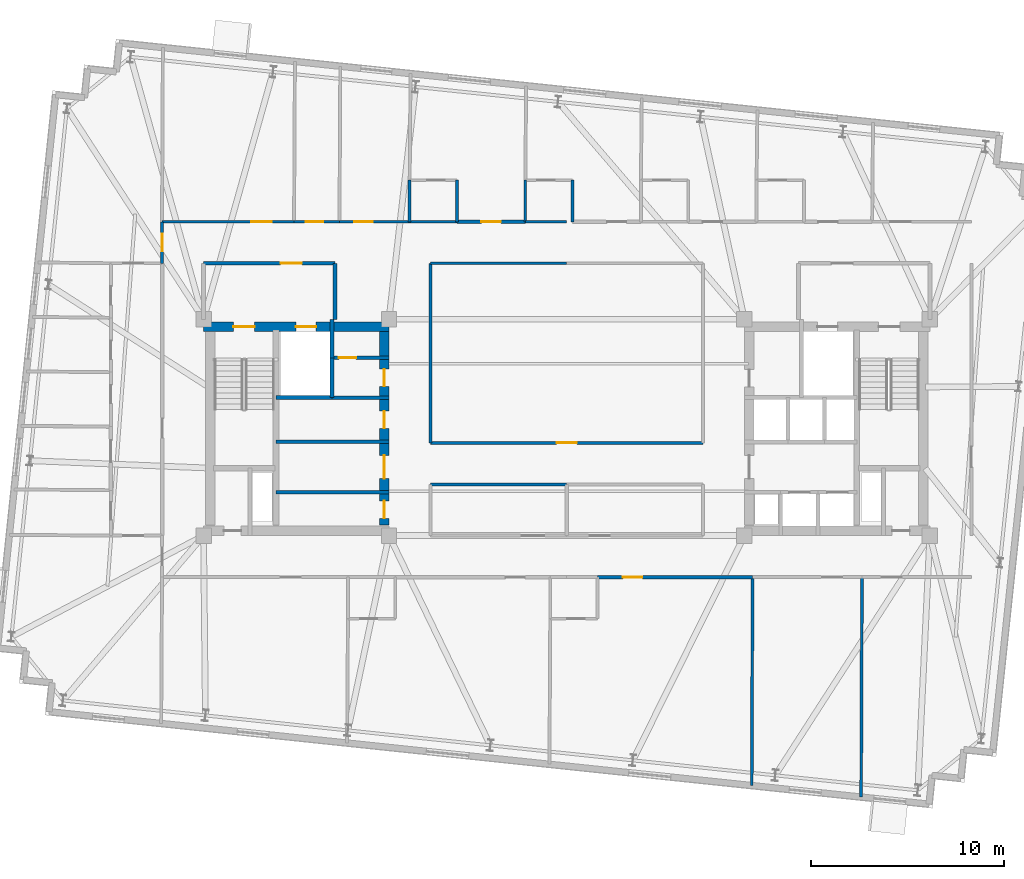
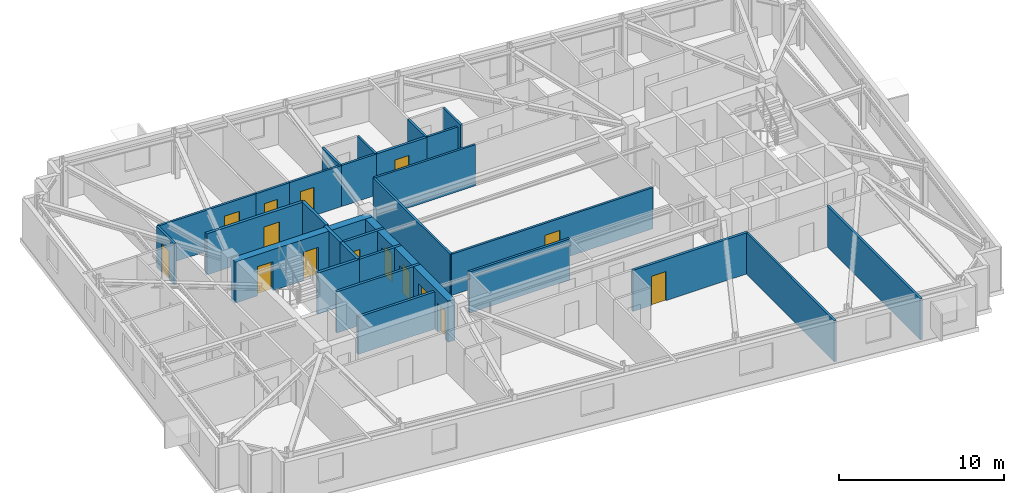
# One storey, part 7 of 12: 29 walls, 15 doors, 15 openings.
"""IFC4 building model written with IfcOpenShell, lengths in metres."""

from ifc_helpers import new_model, si_unit, direction, frame, frame_2d, origin, place, context, subcontext, project, spatial, rectangle, extrude, material, layer, layer_set, type_object, element, fill, save


model = new_model("IFC4")

# Units and contexts
model_context = context("Model", 3, precision=1e-05, world=origin(), true_north=direction((0.0, 1.0)))
body_context = subcontext(model_context, "Body", "Model", "MODEL_VIEW")
ifc_project = project(units=[si_unit("LENGTHUNIT", "METRE"), si_unit("AREAUNIT", "SQUARE_METRE"), si_unit("VOLUMEUNIT", "CUBIC_METRE"), si_unit("PLANEANGLEUNIT", "RADIAN"), si_unit("MASSUNIT", "GRAM", prefix="KILO")], contexts=[model_context])

# Site, building, storey
site_placement = place(None, origin())
site = spatial("IfcSite", under=ifc_project, at=site_placement, CompositionType="ELEMENT")
building_placement = place(site_placement, origin())
building = spatial("IfcBuilding", under=site, at=building_placement, Name="Qobustan Lattice House", CompositionType="ELEMENT")
storey_placement = place(building_placement, frame((0.0, 0.0, 189.699951171875)))
storey = spatial("IfcBuildingStorey", under=building, at=storey_placement, Name="L53", CompositionType="ELEMENT", Elevation=189.699951171875)

# Wall, openings, doors
ifc_material_1 = material(Name="Concrete C50/60", Category="concrete")
ifc_layer_1 = layer(ifc_material_1, 0.5)
ifc_layer_set_1 = layer_set([ifc_layer_1], Name="Concrete C50/60")
wall_type_1 = type_object("IfcWallType", Name="WAL-CORE-500", PredefinedType="SHEAR", material=ifc_layer_set_1)
wall_1_placement = place(storey_placement, frame((-18.800048828125, 5.2099609375, 0.0), z_axis=(0.0, 0.0, 1.0), x_axis=(1.0, 0.0, 0.0)))
wall_1 = element("IfcWall", 1, at=wall_1_placement, inside=storey, type_object=wall_type_1, Name="L53 split-core shear wall CW-N", PredefinedType="SHEAR", context=body_context, shape_type="SweptSolid", body=[
    extrude(rectangle(XDim=9.60009765625, YDim=0.5, at=frame_2d((4.800048828125, 0.0))), origin(), (0.0, 0.0, 1.0), 3.0400390625),
])
opening_1_placement = place(wall_1_placement, frame((1.550048828125, 0.0, 0.0)))
opening_1 = element("IfcOpeningElement", 2, at=opening_1_placement, cuts=wall_1, Name="Opening SD-01", PredefinedType="OPENING", context=body_context, shape_type="SweptSolid", body=[
    extrude(rectangle(XDim=1.10009765625, YDim=2.14990234375, at=frame_2d((0.550048828125, 1.074951171875))), frame((0.0, 0.260009765625, 0.0), z_axis=(0.0, -1.0, 0.0), x_axis=(1.0, 0.0, 0.0)), (0.0, 0.0, 1.0), 0.52001953125),
])
opening_2_placement = place(wall_1_placement, frame((4.77490234375, 0.0, 0.0)))
opening_2 = element("IfcOpeningElement", 3, at=opening_2_placement, cuts=wall_1, Name="Opening LD-01", PredefinedType="OPENING", context=body_context, shape_type="SweptSolid", body=[
    extrude(rectangle(XDim=1.050048828125, YDim=2.10009765625, at=frame_2d((0.52490234375, 1.050048828125))), frame((0.0, 0.260009765625, 0.0), z_axis=(0.0, -1.0, 0.0), x_axis=(1.0, 0.0, 0.0)), (0.0, 0.0, 1.0), 0.52001953125),
])
ifc_material_2 = material(Name="Persian walnut timber and steel frame door", Category="steel")
door_type_1 = type_object("IfcDoorType", Name="DOR-LIFT-LD-1050x2100", OperationType="NOTDEFINED", PredefinedType="DOOR", material=ifc_material_2)
door_1_placement = place(opening_2_placement, origin())
door_1 = element("IfcDoor", 4, at=door_1_placement, inside=storey, type_object=door_type_1, Name="L53 firefighting lift FF-W landing door", OperationType="DOUBLE_DOOR_SLIDING", OverallHeight=2.10009765625, OverallWidth=1.050048828125, PredefinedType="DOOR", context=body_context, shape_type="SweptSolid", body=[
    extrude(rectangle(XDim=1.050048828125, YDim=2.10009765625, at=frame_2d((0.52490234375, 1.050048828125))), frame((0.0, 0.02490234375, 0.0), z_axis=(0.0, -1.0, 0.0), x_axis=(1.0, 0.0, 0.0)), (0.0, 0.0, 1.0), 0.050048828125),
])
fill(opening_2, door_1)
ifc_material_3 = material(Name="Persian walnut timber and steel frame door", Category="steel")
door_type_2 = type_object("IfcDoorType", Name="DOR-STAIR-FD-1100x2150", OperationType="NOTDEFINED", PredefinedType="DOOR", material=ifc_material_3)
door_2_placement = place(opening_1_placement, origin())
door_2 = element("IfcDoor", 5, at=door_2_placement, inside=storey, type_object=door_type_2, Name="L53 exit stair ST-W1 fire door", OperationType="SINGLE_SWING_LEFT", OverallHeight=2.14990234375, OverallWidth=1.10009765625, PredefinedType="DOOR", context=body_context, shape_type="SweptSolid", body=[
    extrude(rectangle(XDim=1.10009765625, YDim=2.14990234375, at=frame_2d((0.550048828125, 1.074951171875))), frame((0.0, 0.02490234375, 0.0), z_axis=(0.0, -1.0, 0.0), x_axis=(1.0, 0.0, 0.0)), (0.0, 0.0, 1.0), 0.050048828125),
])
fill(opening_1, door_2)

wall_2_placement = place(storey_placement, frame((-9.449951171875, -5.050048828125, 0.0), z_axis=(0.0, 0.0, 1.0), x_axis=(0.0, 1.0, 0.0)))
wall_2 = element("IfcWall", 6, at=wall_2_placement, inside=storey, type_object=wall_type_1, Name="L53 split-core shear wall CW-E", PredefinedType="SHEAR", context=body_context, shape_type="SweptSolid", body=[
    extrude(rectangle(XDim=10.10009765625, YDim=0.5, at=frame_2d((5.050048828125, 0.0))), origin(), (0.0, 0.0, 1.0), 3.0400390625),
])
opening_3_placement = place(wall_2_placement, frame((7.175048828125, 0.0, 0.0)))
opening_3 = element("IfcOpeningElement", 7, at=opening_3_placement, cuts=wall_2, Name="Opening RD-01", PredefinedType="OPENING", context=body_context, shape_type="SweptSolid", body=[
    extrude(rectangle(XDim=0.89990234375, YDim=2.10009765625, at=frame_2d((0.449951171875, 1.050048828125))), frame((0.0, 0.260009765625, 0.0), z_axis=(0.0, -1.0, 0.0), x_axis=(1.0, 0.0, 0.0)), (0.0, 0.0, 1.0), 0.52001953125),
])
opening_4_placement = place(wall_2_placement, frame((2.39990234375, 0.0, 0.0)))
opening_4 = element("IfcOpeningElement", 8, at=opening_4_placement, cuts=wall_2, Name="Opening FD-01", PredefinedType="OPENING", context=body_context, shape_type="SweptSolid", body=[
    extrude(rectangle(XDim=1.199951171875, YDim=2.14990234375, at=frame_2d((0.60009765625, 1.074951171875))), frame((0.0, 0.260009765625, 0.0), z_axis=(0.0, -1.0, 0.0), x_axis=(1.0, 0.0, 0.0)), (0.0, 0.0, 1.0), 0.52001953125),
])
opening_5_placement = place(wall_2_placement, frame((0.35009765625, 0.0, 0.0)))
opening_5 = element("IfcOpeningElement", 9, at=opening_5_placement, cuts=wall_2, Name="Opening RD-01", PredefinedType="OPENING", context=body_context, shape_type="SweptSolid", body=[
    extrude(rectangle(XDim=0.89990234375, YDim=2.10009765625, at=frame_2d((0.449951171875, 1.050048828125))), frame((0.0, 0.260009765625, 0.0), z_axis=(0.0, -1.0, 0.0), x_axis=(1.0, 0.0, 0.0)), (0.0, 0.0, 1.0), 0.52001953125),
])
opening_6_placement = place(wall_2_placement, frame((5.0, 0.0, 0.0)))
opening_6 = element("IfcOpeningElement", 10, at=opening_6_placement, cuts=wall_2, Name="Opening RD-01", PredefinedType="OPENING", context=body_context, shape_type="SweptSolid", body=[
    extrude(rectangle(XDim=0.89990234375, YDim=2.10009765625, at=frame_2d((0.449951171875, 1.050048828125))), frame((0.0, 0.260009765625, 0.0), z_axis=(0.0, -1.0, 0.0), x_axis=(1.0, 0.0, 0.0)), (0.0, 0.0, 1.0), 0.52001953125),
])
ifc_material_4 = material(Name="Persian walnut timber and steel frame door", Category="steel")
door_type_3 = type_object("IfcDoorType", Name="DOR-LOBBY-FD-1200x2150", OperationType="NOTDEFINED", PredefinedType="DOOR", material=ifc_material_4)
door_3_placement = place(opening_4_placement, origin())
door_3 = element("IfcDoor", 11, at=door_3_placement, inside=storey, type_object=door_type_3, Name="L53 West core foyer fire door", OperationType="SINGLE_SWING_RIGHT", OverallHeight=2.14990234375, OverallWidth=1.199951171875, PredefinedType="DOOR", context=body_context, shape_type="SweptSolid", body=[
    extrude(rectangle(XDim=1.199951171875, YDim=2.14990234375, at=frame_2d((0.60009765625, 1.074951171875))), frame((0.0, 0.02490234375, 0.0), z_axis=(0.0, -1.0, 0.0), x_axis=(1.0, 0.0, 0.0)), (0.0, 0.0, 1.0), 0.050048828125),
])
fill(opening_4, door_3)
ifc_material_5 = material(Name="Persian walnut timber and steel frame door", Category="steel")
door_type_4 = type_object("IfcDoorType", Name="DOR-RISER-FD-900x2100", OperationType="NOTDEFINED", PredefinedType="DOOR", material=ifc_material_5)
door_4_placement = place(opening_3_placement, origin())
door_4 = element("IfcDoor", 12, at=door_4_placement, inside=storey, type_object=door_type_4, Name="L53 Core utility lobby fire door", OperationType="SINGLE_SWING_LEFT", OverallHeight=2.10009765625, OverallWidth=0.89990234375, PredefinedType="DOOR", context=body_context, shape_type="SweptSolid", body=[
    extrude(rectangle(XDim=0.89990234375, YDim=2.10009765625, at=frame_2d((0.449951171875, 1.050048828125))), frame((0.0, 0.02490234375, 0.0), z_axis=(0.0, -1.0, 0.0), x_axis=(1.0, 0.0, 0.0)), (0.0, 0.0, 1.0), 0.050048828125),
])
fill(opening_3, door_4)
door_5_placement = place(opening_5_placement, origin())
door_5 = element("IfcDoor", 13, at=door_5_placement, inside=storey, type_object=door_type_4, Name="L53 Quiet study alcove fire door", OperationType="SINGLE_SWING_LEFT", OverallHeight=2.10009765625, OverallWidth=0.89990234375, PredefinedType="DOOR", context=body_context, shape_type="SweptSolid", body=[
    extrude(rectangle(XDim=0.89990234375, YDim=2.10009765625, at=frame_2d((0.449951171875, 1.050048828125))), frame((0.0, 0.02490234375, 0.0), z_axis=(0.0, -1.0, 0.0), x_axis=(1.0, 0.0, 0.0)), (0.0, 0.0, 1.0), 0.050048828125),
])
fill(opening_5, door_5)
door_6_placement = place(opening_6_placement, origin())
door_6 = element("IfcDoor", 14, at=door_6_placement, inside=storey, type_object=door_type_4, Name="L53 Resident reading pod fire door", OperationType="SINGLE_SWING_RIGHT", OverallHeight=2.10009765625, OverallWidth=0.89990234375, PredefinedType="DOOR", context=body_context, shape_type="SweptSolid", body=[
    extrude(rectangle(XDim=0.89990234375, YDim=2.10009765625, at=frame_2d((0.449951171875, 1.050048828125))), frame((0.0, 0.02490234375, 0.0), z_axis=(0.0, -1.0, 0.0), x_axis=(1.0, 0.0, 0.0)), (0.0, 0.0, 1.0), 0.050048828125),
])
fill(opening_6, door_6)

# Wall, opening, door
ifc_material_6 = material(Name="Gypsum fireboard acoustic partition", Category="gypsum")
ifc_layer_2 = layer(ifc_material_6, 0.179931640625)
ifc_layer_set_2 = layer_set([ifc_layer_2], Name="Gypsum fireboard acoustic partition")
wall_type_2 = type_object("IfcWallType", Name="WAL-FIRE-180", PredefinedType="PARTITIONING", material=ifc_layer_set_2)
wall_3_placement = place(storey_placement, frame((-9.199951171875, 3.60009765625, 0.0), z_axis=(0.0, 0.0, 1.0), x_axis=(-1.0, 0.0, 0.0)))
wall_3 = element("IfcWall", 15, at=wall_3_placement, inside=storey, type_object=wall_type_2, Name="L53 interior partition 7", PredefinedType="PARTITIONING", context=body_context, shape_type="SweptSolid", body=[
    extrude(rectangle(XDim=2.949951171875, YDim=0.179931640625, at=frame_2d((1.47509765625, 0.0))), origin(), (0.0, 0.0, 1.0), 3.0400390625),
])
opening_7_placement = place(wall_3_placement, frame((1.699951171875, 0.0, 0.0)))
opening_7 = element("IfcOpeningElement", 16, at=opening_7_placement, cuts=wall_3, Name="Opening RD-01", PredefinedType="OPENING", context=body_context, shape_type="SweptSolid", body=[
    extrude(rectangle(XDim=0.89990234375, YDim=2.10009765625, at=frame_2d((0.449951171875, 1.050048828125))), frame((0.0, 0.099853515625, 0.0), z_axis=(0.0, -1.0, 0.0), x_axis=(1.0, 0.0, 0.0)), (0.0, 0.0, 1.0), 0.199951171875),
])
door_7_placement = place(opening_7_placement, origin())
door_7 = element("IfcDoor", 17, at=door_7_placement, inside=storey, type_object=door_type_4, Name="L53 Core utility lobby to Cleaner store door", OperationType="SINGLE_SWING_RIGHT", OverallHeight=2.10009765625, OverallWidth=0.89990234375, PredefinedType="DOOR", context=body_context, shape_type="SweptSolid", body=[
    extrude(rectangle(XDim=0.89990234375, YDim=2.10009765625, at=frame_2d((0.449951171875, 1.050048828125))), frame((0.0, 0.02490234375, 0.0), z_axis=(0.0, -1.0, 0.0), x_axis=(1.0, 0.0, 0.0)), (0.0, 0.0, 1.0), 0.050048828125),
])
fill(opening_7, door_7)

# Walls
wall_4_placement = place(storey_placement, frame((-12.14990234375, 1.550048828125, 0.0), z_axis=(0.0, 0.0, 1.0), x_axis=(1.0, 0.0, 0.0)))
element("IfcWall", 18, at=wall_4_placement, inside=storey, type_object=wall_type_2, Name="L53 interior partition 8", PredefinedType="PARTITIONING", context=body_context, shape_type="SweptSolid", body=[
    extrude(rectangle(XDim=2.949951171875, YDim=0.179931640625, at=frame_2d((1.47509765625, 0.0))), origin(), (0.0, 0.0, 1.0), 3.0400390625),
])
wall_5_placement = place(storey_placement, frame((-15.050048828125, -3.35009765625, 0.0), z_axis=(0.0, 0.0, 1.0), x_axis=(1.0, 0.0, 0.0)))
element("IfcWall", 19, at=wall_5_placement, inside=storey, type_object=wall_type_2, Name="L53 interior partition 10", PredefinedType="PARTITIONING", context=body_context, shape_type="SweptSolid", body=[
    extrude(rectangle(XDim=5.85009765625, YDim=0.179931640625, at=frame_2d((2.925048828125, 0.0))), origin(), (0.0, 0.0, 1.0), 2.755126953125),
])
wall_6_placement = place(storey_placement, frame((-9.199951171875, -0.75, 0.0), z_axis=(0.0, 0.0, 1.0), x_axis=(-1.0, 0.0, 0.0)))
element("IfcWall", 20, at=wall_6_placement, inside=storey, type_object=wall_type_2, Name="L53 interior partition 11", PredefinedType="PARTITIONING", context=body_context, shape_type="SweptSolid", body=[
    extrude(rectangle(XDim=5.85009765625, YDim=0.179931640625, at=frame_2d((2.925048828125, 0.0))), origin(), (0.0, 0.0, 1.0), 3.0400390625),
])

# Wall, opening, door
wall_7_placement = place(storey_placement, frame((-5.678955078125, 10.64990234375, 0.0), z_axis=(0.0, 0.0, 1.0), x_axis=(1.0, 0.0, 0.0)))
wall_7 = element("IfcWall", 21, at=wall_7_placement, inside=storey, type_object=wall_type_2, Name="L53 interior partition 36", PredefinedType="PARTITIONING", context=body_context, shape_type="SweptSolid", body=[
    extrude(rectangle(XDim=3.535888671875, YDim=0.179931640625, at=frame_2d((1.76806640625, 0.0))), origin(), (0.0, 0.0, 1.0), 3.0400390625),
])
opening_8_placement = place(wall_7_placement, frame((1.26806640625, 0.0, 0.0)))
opening_8 = element("IfcOpeningElement", 22, at=opening_8_placement, cuts=wall_7, Name="Opening FD-02", PredefinedType="OPENING", context=body_context, shape_type="SweptSolid", body=[
    extrude(rectangle(XDim=1.0, YDim=2.14990234375, at=frame_2d((0.5, 1.074951171875))), frame((0.0, 0.099853515625, 0.0), z_axis=(0.0, -1.0, 0.0), x_axis=(1.0, 0.0, 0.0)), (0.0, 0.0, 1.0), 0.199951171875),
])
ifc_material_7 = material(Name="Persian walnut timber and steel frame door", Category="steel")
door_type_5 = type_object("IfcDoorType", Name="DOR-UNIT-FD-1000x2150", OperationType="NOTDEFINED", PredefinedType="DOOR", material=ifc_material_7)
door_8_placement = place(opening_8_placement, origin())
door_8 = element("IfcDoor", 23, at=door_8_placement, inside=storey, type_object=door_type_5, Name="L53 North-west floor corridor to Kitchenette and studio apartment L53-N3 door", OperationType="SINGLE_SWING_RIGHT", OverallHeight=2.14990234375, OverallWidth=1.0, PredefinedType="DOOR", context=body_context, shape_type="SweptSolid", body=[
    extrude(rectangle(XDim=1.0, YDim=2.14990234375, at=frame_2d((0.5, 1.074951171875))), frame((0.0, 0.02490234375, 0.0), z_axis=(0.0, -1.0, 0.0), x_axis=(1.0, 0.0, 0.0)), (0.0, 0.0, 1.0), 0.050048828125),
])
fill(opening_8, door_8)

wall_8_placement = place(storey_placement, frame((9.625, -7.75, 0.0), z_axis=(0.0, 0.0, 1.0), x_axis=(-1.0, 0.0, 0.0)))
wall_8 = element("IfcWall", 24, at=wall_8_placement, inside=storey, type_object=wall_type_2, Name="L53 interior partition 53", PredefinedType="PARTITIONING", context=body_context, shape_type="SweptSolid", body=[
    extrude(rectangle(XDim=8.02490234375, YDim=0.179931640625, at=frame_2d((4.012451171875, 0.0))), origin(), (0.0, 0.0, 1.0), 3.0400390625),
])
opening_9_placement = place(wall_8_placement, frame((5.7119140625, 0.0, 0.0)))
opening_9 = element("IfcOpeningElement", 25, at=opening_9_placement, cuts=wall_8, Name="Opening FD-02", PredefinedType="OPENING", context=body_context, shape_type="SweptSolid", body=[
    extrude(rectangle(XDim=1.0, YDim=2.14990234375, at=frame_2d((0.5, 1.074951171875))), frame((0.0, 0.099853515625, 0.0), z_axis=(0.0, -1.0, 0.0), x_axis=(1.0, 0.0, 0.0)), (0.0, 0.0, 1.0), 0.199951171875),
])
door_9_placement = place(opening_9_placement, origin())
door_9 = element("IfcDoor", 26, at=door_9_placement, inside=storey, type_object=door_type_5, Name="L53 South-east floor corridor to Kitchenette and studio apartment L53-S3 door", OperationType="SINGLE_SWING_LEFT", OverallHeight=2.14990234375, OverallWidth=1.0, PredefinedType="DOOR", context=body_context, shape_type="SweptSolid", body=[
    extrude(rectangle(XDim=1.0, YDim=2.14990234375, at=frame_2d((0.5, 1.074951171875))), frame((0.0, 0.02490234375, 0.0), z_axis=(0.0, -1.0, 0.0), x_axis=(1.0, 0.0, 0.0)), (0.0, 0.0, 1.0), 0.050048828125),
])
fill(opening_9, door_9)

ifc_material_8 = material(Name="Acoustic twin-stud gypsum partition", Category="gypsum")
ifc_layer_3 = layer(ifc_material_8, 0.14990234375)
ifc_layer_set_3 = layer_set([ifc_layer_3], Name="Acoustic twin-stud gypsum partition")
wall_type_3 = type_object("IfcWallType", Name="WAL-PART-150", PredefinedType="PARTITIONING", material=ifc_layer_set_3)
wall_9_placement = place(storey_placement, frame((-20.949951171875, 8.5, 0.0), z_axis=(0.0, 0.0, 1.0), x_axis=(0.0, 1.0, 0.0)))
wall_9 = element("IfcWall", 27, at=wall_9_placement, inside=storey, type_object=wall_type_3, Name="L53 interior partition 32", PredefinedType="PARTITIONING", context=body_context, shape_type="SweptSolid", body=[
    extrude(rectangle(XDim=2.14990234375, YDim=0.14990234375, at=frame_2d((1.074951171875, 0.0))), origin(), (0.0, 0.0, 1.0), 3.0400390625),
])
opening_10_placement = place(wall_9_placement, frame((0.625, 0.0, 0.0)))
opening_10 = element("IfcOpeningElement", 28, at=opening_10_placement, cuts=wall_9, Name="Opening WD-01", PredefinedType="OPENING", context=body_context, shape_type="SweptSolid", body=[
    extrude(rectangle(XDim=0.89990234375, YDim=2.10009765625, at=frame_2d((0.449951171875, 1.050048828125))), frame((0.0, 0.0849609375, 0.0), z_axis=(0.0, -1.0, 0.0), x_axis=(1.0, 0.0, 0.0)), (0.0, 0.0, 1.0), 0.169921875),
])
ifc_material_9 = material(Name="Persian walnut timber and steel frame door", Category="steel")
door_type_6 = type_object("IfcDoorType", Name="DOR-WET-900x2100", OperationType="NOTDEFINED", PredefinedType="DOOR", material=ifc_material_9)
door_10_placement = place(opening_10_placement, origin())
door_10 = element("IfcDoor", 29, at=door_10_placement, inside=storey, type_object=door_type_6, Name="L53 North-west floor corridor to Reading study room L53WN door", OperationType="SINGLE_SWING_RIGHT", OverallHeight=2.10009765625, OverallWidth=0.89990234375, PredefinedType="DOOR", context=body_context, shape_type="SweptSolid", body=[
    extrude(rectangle(XDim=0.89990234375, YDim=2.10009765625, at=frame_2d((0.449951171875, 1.050048828125))), frame((0.0, 0.02490234375, 0.0), z_axis=(0.0, -1.0, 0.0), x_axis=(1.0, 0.0, 0.0)), (0.0, 0.0, 1.0), 0.050048828125),
])
fill(opening_10, door_10)

wall_10_placement = place(storey_placement, frame((-20.949951171875, 10.64990234375, 0.0), z_axis=(0.0, 0.0, 1.0), x_axis=(1.0, 0.0, 0.0)))
wall_10 = element("IfcWall", 30, at=wall_10_placement, inside=storey, type_object=wall_type_3, Name="L53 interior partition 33", PredefinedType="PARTITIONING", context=body_context, shape_type="SweptSolid", body=[
    extrude(rectangle(XDim=6.8359375, YDim=0.14990234375, at=frame_2d((3.41796875, 0.0))), origin(), (0.0, 0.0, 1.0), 3.0400390625),
])
opening_11_placement = place(wall_10_placement, frame((4.627685546875, 0.0, 0.0)))
opening_11 = element("IfcOpeningElement", 31, at=opening_11_placement, cuts=wall_10, Name="Opening ID-02", PredefinedType="OPENING", context=body_context, shape_type="SweptSolid", body=[
    extrude(rectangle(XDim=1.050048828125, YDim=2.14990234375, at=frame_2d((0.52490234375, 1.074951171875))), frame((0.0, 0.0849609375, 0.0), z_axis=(0.0, -1.0, 0.0), x_axis=(1.0, 0.0, 0.0)), (0.0, 0.0, 1.0), 0.169921875),
])
ifc_material_10 = material(Name="Persian walnut timber and steel frame door", Category="steel")
door_type_7 = type_object("IfcDoorType", Name="DOR-STUDY-1050x2150", OperationType="NOTDEFINED", PredefinedType="DOOR", material=ifc_material_10)
door_11_placement = place(opening_11_placement, origin())
door_11 = element("IfcDoor", 32, at=door_11_placement, inside=storey, type_object=door_type_7, Name="L53 North-west floor corridor to Focus study room N1 door", OperationType="SINGLE_SWING_LEFT", OverallHeight=2.14990234375, OverallWidth=1.050048828125, PredefinedType="DOOR", context=body_context, shape_type="SweptSolid", body=[
    extrude(rectangle(XDim=1.050048828125, YDim=2.14990234375, at=frame_2d((0.52490234375, 1.074951171875))), frame((0.0, 0.02490234375, 0.0), z_axis=(0.0, -1.0, 0.0), x_axis=(1.0, 0.0, 0.0)), (0.0, 0.0, 1.0), 0.050048828125),
])
fill(opening_11, door_11)

wall_11_placement = place(storey_placement, frame((-11.763916015625, 10.64990234375, 0.0), z_axis=(0.0, 0.0, 1.0), x_axis=(1.0, 0.0, 0.0)))
wall_11 = element("IfcWall", 33, at=wall_11_placement, inside=storey, type_object=wall_type_3, Name="L53 interior partition 35", PredefinedType="PARTITIONING", context=body_context, shape_type="SweptSolid", body=[
    extrude(rectangle(XDim=3.635009765625, YDim=0.14990234375, at=frame_2d((1.8173828125, 0.0))), origin(), (0.0, 0.0, 1.0), 3.0400390625),
])
opening_12_placement = place(wall_11_placement, frame((0.7705078125, 0.0, 0.0)))
opening_12 = element("IfcOpeningElement", 34, at=opening_12_placement, cuts=wall_11, Name="Opening ID-01", PredefinedType="OPENING", context=body_context, shape_type="SweptSolid", body=[
    extrude(rectangle(XDim=0.949951171875, YDim=2.10009765625, at=frame_2d((0.47509765625, 1.050048828125))), frame((0.0, 0.0849609375, 0.0), z_axis=(0.0, -1.0, 0.0), x_axis=(1.0, 0.0, 0.0)), (0.0, 0.0, 1.0), 0.169921875),
])
ifc_material_11 = material(Name="Persian walnut timber and steel frame door", Category="steel")
door_type_8 = type_object("IfcDoorType", Name="DOR-ROOM-950x2100", OperationType="NOTDEFINED", PredefinedType="DOOR", material=ifc_material_11)
door_12_placement = place(opening_12_placement, origin())
door_12 = element("IfcDoor", 35, at=door_12_placement, inside=storey, type_object=door_type_8, Name="L53 North-west floor corridor to Laundry utility room door", OperationType="SINGLE_SWING_LEFT", OverallHeight=2.10009765625, OverallWidth=0.949951171875, PredefinedType="DOOR", context=body_context, shape_type="SweptSolid", body=[
    extrude(rectangle(XDim=0.949951171875, YDim=2.10009765625, at=frame_2d((0.47509765625, 1.050048828125))), frame((0.0, 0.02490234375, 0.0), z_axis=(0.0, -1.0, 0.0), x_axis=(1.0, 0.0, 0.0)), (0.0, 0.0, 1.0), 0.050048828125),
])
fill(opening_12, door_12)

# Wall
wall_12_placement = place(storey_placement, frame((0.0, 8.5, 0.0), z_axis=(0.0, 0.0, 1.0), x_axis=(-1.0, 0.0, 0.0)))
element("IfcWall", 36, at=wall_12_placement, inside=storey, type_object=wall_type_3, Name="L53 interior partition 39", PredefinedType="PARTITIONING", context=body_context, shape_type="SweptSolid", body=[
    extrude(rectangle(XDim=7.050048828125, YDim=0.14990234375, at=frame_2d((3.52490234375, 0.0))), origin(), (0.0, 0.0, 1.0), 3.0400390625),
])

# Wall, opening, door
wall_13_placement = place(storey_placement, frame((-7.050048828125, -0.800048828125, 0.0), z_axis=(0.0, 0.0, 1.0), x_axis=(1.0, 0.0, 0.0)))
wall_13 = element("IfcWall", 37, at=wall_13_placement, inside=storey, type_object=wall_type_3, Name="L53 interior partition 60", PredefinedType="PARTITIONING", context=body_context, shape_type="SweptSolid", body=[
    extrude(rectangle(XDim=14.10009765625, YDim=0.14990234375, at=frame_2d((7.050048828125, 0.0))), origin(), (0.0, 0.0, 1.0), 3.0400390625),
])
opening_13_placement = place(wall_13_placement, frame((6.52490234375, 0.0, 0.0)))
opening_13 = element("IfcOpeningElement", 38, at=opening_13_placement, cuts=wall_13, Name="Opening ID-02", PredefinedType="OPENING", context=body_context, shape_type="SweptSolid", body=[
    extrude(rectangle(XDim=1.050048828125, YDim=2.14990234375, at=frame_2d((0.52490234375, 1.074951171875))), frame((0.0, 0.0849609375, 0.0), z_axis=(0.0, -1.0, 0.0), x_axis=(1.0, 0.0, 0.0)), (0.0, 0.0, 1.0), 0.169921875),
])
door_13_placement = place(opening_13_placement, origin())
door_13 = element("IfcDoor", 39, at=door_13_placement, inside=storey, type_object=door_type_7, Name="L53 Central spine corridor to Academic seminar commons door", OperationType="SINGLE_SWING_LEFT", OverallHeight=2.14990234375, OverallWidth=1.050048828125, PredefinedType="DOOR", context=body_context, shape_type="SweptSolid", body=[
    extrude(rectangle(XDim=1.050048828125, YDim=2.14990234375, at=frame_2d((0.52490234375, 1.074951171875))), frame((0.0, 0.02490234375, 0.0), z_axis=(0.0, -1.0, 0.0), x_axis=(1.0, 0.0, 0.0)), (0.0, 0.0, 1.0), 0.050048828125),
])
fill(opening_13, door_13)

# Walls
wall_14_placement = place(storey_placement, frame((-7.050048828125, 8.5, 0.0), z_axis=(0.0, 0.0, 1.0), x_axis=(0.0, -1.0, 0.0)))
element("IfcWall", 40, at=wall_14_placement, inside=storey, type_object=wall_type_3, Name="L53 interior partition 63", PredefinedType="PARTITIONING", context=body_context, shape_type="SweptSolid", body=[
    extrude(rectangle(XDim=9.300048828125, YDim=0.14990234375, at=frame_2d((4.64990234375, 0.0))), origin(), (0.0, 0.0, 1.0), 3.0400390625),
])
wall_15_placement = place(storey_placement, frame((9.625, -7.75, 0.0), z_axis=(0.0, 0.0, 1.0), x_axis=(-0.004074945792, -0.999991697374, 0.0)))
element("IfcWall", 41, at=wall_15_placement, inside=storey, type_object=wall_type_3, Name="L53 interior partition 109", PredefinedType="PARTITIONING", context=body_context, shape_type="SweptSolid", body=[
    extrude(rectangle(XDim=10.7841796875, YDim=0.14990234375, at=frame_2d((5.39208984375, 0.0))), origin(), (0.0, 0.0, 1.0), 3.0400390625),
])
wall_16_placement = place(storey_placement, frame((15.28759765625, -7.75, 0.0), z_axis=(0.0, 0.0, 1.0), x_axis=(-0.003861886282, -0.999992542889, 0.0)))
element("IfcWall", 42, at=wall_16_placement, inside=storey, type_object=wall_type_3, Name="L53 interior partition 110", PredefinedType="PARTITIONING", context=body_context, shape_type="SweptSolid", body=[
    extrude(rectangle(XDim=11.379150390625, YDim=0.14990234375, at=frame_2d((5.689453125, 0.0))), origin(), (0.0, 0.0, 1.0), 3.0400390625),
])
ifc_material_12 = material(Name="High-mass acoustic twin-stud partition", Category="gypsum")
ifc_layer_4 = layer(ifc_material_12, 0.1650390625)
ifc_layer_set_4 = layer_set([ifc_layer_4], Name="High-mass acoustic twin-stud partition")
wall_type_4 = type_object("IfcWallType", Name="WAL-PART-165", PredefinedType="PARTITIONING", material=ifc_layer_set_4)
wall_17_placement = place(storey_placement, frame((0.0, -2.949951171875, 0.0), z_axis=(0.0, 0.0, 1.0), x_axis=(-1.0, 0.0, 0.0)))
element("IfcWall", 43, at=wall_17_placement, inside=storey, type_object=wall_type_4, Name="L53 interior partition 61", PredefinedType="PARTITIONING", context=body_context, shape_type="SweptSolid", body=[
    extrude(rectangle(XDim=7.050048828125, YDim=0.1650390625, at=frame_2d((3.52490234375, 0.0))), origin(), (0.0, 0.0, 1.0), 3.0400390625),
])

# Wall, opening, door
ifc_material_13 = material(Name="Two-hour gypsum fireboard acoustic partition", Category="gypsum")
ifc_layer_5 = layer(ifc_material_13, 0.199951171875)
ifc_layer_set_5 = layer_set([ifc_layer_5], Name="Two-hour gypsum fireboard acoustic partition")
wall_type_5 = type_object("IfcWallType", Name="WAL-PROT-200", PredefinedType="PARTITIONING", material=ifc_layer_set_5)
wall_18_placement = place(storey_placement, frame((-12.0, 8.5, 0.0), z_axis=(0.0, 0.0, 1.0), x_axis=(-1.0, 0.0, 0.0)))
wall_18 = element("IfcWall", 44, at=wall_18_placement, inside=storey, type_object=wall_type_5, Name="L53 interior partition 4", PredefinedType="PARTITIONING", context=body_context, shape_type="SweptSolid", body=[
    extrude(rectangle(XDim=6.800048828125, YDim=0.199951171875, at=frame_2d((3.39990234375, 0.0))), origin(), (0.0, 0.0, 1.0), 3.0400390625),
])
opening_14_placement = place(wall_18_placement, frame((1.715087890625, 0.0, 0.0)))
opening_14 = element("IfcOpeningElement", 45, at=opening_14_placement, cuts=wall_18, Name="Opening SD-01", PredefinedType="OPENING", context=body_context, shape_type="SweptSolid", body=[
    extrude(rectangle(XDim=1.10009765625, YDim=2.14990234375, at=frame_2d((0.550048828125, 1.074951171875))), frame((0.0, 0.10986328125, 0.0), z_axis=(0.0, -1.0, 0.0), x_axis=(1.0, 0.0, 0.0)), (0.0, 0.0, 1.0), 0.219970703125),
])
door_14_placement = place(opening_14_placement, origin())
door_14 = element("IfcDoor", 46, at=door_14_placement, inside=storey, type_object=door_type_2, Name="L53 West firefighting lift lobby to North-west floor corridor door", OperationType="SINGLE_SWING_LEFT", OverallHeight=2.14990234375, OverallWidth=1.10009765625, PredefinedType="DOOR", context=body_context, shape_type="SweptSolid", body=[
    extrude(rectangle(XDim=1.10009765625, YDim=2.14990234375, at=frame_2d((0.550048828125, 1.074951171875))), frame((0.0, 0.02490234375, 0.0), z_axis=(0.0, -1.0, 0.0), x_axis=(1.0, 0.0, 0.0)), (0.0, 0.0, 1.0), 0.050048828125),
])
fill(opening_14, door_14)

# Walls
wall_19_placement = place(storey_placement, frame((-12.0, 5.60009765625, 0.0), z_axis=(0.0, 0.0, 1.0), x_axis=(0.0, 1.0, 0.0)))
element("IfcWall", 47, at=wall_19_placement, inside=storey, type_object=wall_type_5, Name="L53 interior partition 6", PredefinedType="PARTITIONING", context=body_context, shape_type="SweptSolid", body=[
    extrude(rectangle(XDim=2.89990234375, YDim=0.199951171875, at=frame_2d((1.449951171875, 0.0))), origin(), (0.0, 0.0, 1.0), 3.0400390625),
])
ifc_material_14 = material(Name="Concrete C40/50", Category="concrete")
ifc_layer_6 = layer(ifc_material_14, 0.199951171875)
ifc_layer_set_6 = layer_set([ifc_layer_6], Name="Concrete C40/50")
wall_type_6 = type_object("IfcWallType", Name="WAL-SHAFT-200", PredefinedType="PARTITIONING", material=ifc_layer_set_6)
wall_20_placement = place(storey_placement, frame((-12.14990234375, 1.550048828125, 0.0), z_axis=(0.0, 0.0, 1.0), x_axis=(0.0, 1.0, 0.0)))
element("IfcWall", 48, at=wall_20_placement, inside=storey, type_object=wall_type_6, Name="L53 interior partition 2", PredefinedType="PARTITIONING", context=body_context, shape_type="SweptSolid", body=[
    extrude(rectangle(XDim=2.050048828125, YDim=0.199951171875, at=frame_2d((1.02490234375, 0.0))), origin(), (0.0, 0.0, 1.0), 3.0400390625),
])
wall_21_placement = place(storey_placement, frame((-12.14990234375, 3.60009765625, 0.0), z_axis=(0.0, 0.0, 1.0), x_axis=(0.0, 1.0, 0.0)))
element("IfcWall", 49, at=wall_21_placement, inside=storey, type_object=wall_type_6, Name="L53 interior partition 3", PredefinedType="PARTITIONING", context=body_context, shape_type="SweptSolid", body=[
    extrude(rectangle(XDim=2.0, YDim=0.199951171875, at=frame_2d((1.0, 0.0))), origin(), (0.0, 0.0, 1.0), 3.0400390625),
])
wall_22_placement = place(storey_placement, frame((-15.050048828125, 1.550048828125, 0.0), z_axis=(0.0, 0.0, 1.0), x_axis=(1.0, 0.0, 0.0)))
element("IfcWall", 50, at=wall_22_placement, inside=storey, type_object=wall_type_6, Name="L53 interior partition 112", PredefinedType="PARTITIONING", context=body_context, shape_type="SweptSolid", body=[
    extrude(rectangle(XDim=2.900146484375, YDim=0.199951171875, at=frame_2d((1.4501953125, 0.0))), origin(), (0.0, 0.0, 1.0), 3.0400390625),
])

# Wall, opening, door
ifc_material_15 = material(Name="Moisture-resistant acoustic plumbing wall", Category="gypsum")
ifc_layer_7 = layer(ifc_material_15, 0.14990234375)
ifc_layer_set_7 = layer_set([ifc_layer_7], Name="Moisture-resistant acoustic plumbing wall")
wall_type_7 = type_object("IfcWallType", Name="WAL-WET-150", PredefinedType="PLUMBINGWALL", material=ifc_layer_set_7)
wall_23_placement = place(storey_placement, frame((-14.114013671875, 10.64990234375, 0.0), z_axis=(0.0, 0.0, 1.0), x_axis=(1.0, 0.0, 0.0)))
wall_23 = element("IfcWall", 51, at=wall_23_placement, inside=storey, type_object=wall_type_7, Name="L53 interior partition 34", PredefinedType="PLUMBINGWALL", context=body_context, shape_type="SweptSolid", body=[
    extrude(rectangle(XDim=2.35009765625, YDim=0.14990234375, at=frame_2d((1.175048828125, 0.0))), origin(), (0.0, 0.0, 1.0), 3.0400390625),
])
opening_15_placement = place(wall_23_placement, frame((0.6162109375, 0.0, 0.0)))
opening_15 = element("IfcOpeningElement", 52, at=opening_15_placement, cuts=wall_23, Name="Opening WD-01", PredefinedType="OPENING", context=body_context, shape_type="SweptSolid", body=[
    extrude(rectangle(XDim=0.89990234375, YDim=2.10009765625, at=frame_2d((0.449951171875, 1.050048828125))), frame((0.0, 0.0849609375, 0.0), z_axis=(0.0, -1.0, 0.0), x_axis=(1.0, 0.0, 0.0)), (0.0, 0.0, 1.0), 0.169921875),
])
door_15_placement = place(opening_15_placement, origin())
door_15 = element("IfcDoor", 53, at=door_15_placement, inside=storey, type_object=door_type_6, Name="L53 North-west floor corridor to Accessible WC door", OperationType="SINGLE_SWING_RIGHT", OverallHeight=2.10009765625, OverallWidth=0.89990234375, PredefinedType="DOOR", context=body_context, shape_type="SweptSolid", body=[
    extrude(rectangle(XDim=0.89990234375, YDim=2.10009765625, at=frame_2d((0.449951171875, 1.050048828125))), frame((0.0, 0.02490234375, 0.0), z_axis=(0.0, -1.0, 0.0), x_axis=(1.0, 0.0, 0.0)), (0.0, 0.0, 1.0), 0.050048828125),
])
fill(opening_15, door_15)

# Walls
wall_24_placement = place(storey_placement, frame((-8.12890625, 10.64990234375, 0.0), z_axis=(0.0, 0.0, 1.0), x_axis=(1.0, 0.0, 0.0)))
element("IfcWall", 54, at=wall_24_placement, inside=storey, type_object=wall_type_7, Name="L53 interior partition 37", PredefinedType="PLUMBINGWALL", context=body_context, shape_type="SweptSolid", body=[
    extrude(rectangle(XDim=2.449951171875, YDim=0.14990234375, at=frame_2d((1.22509765625, 0.0))), origin(), (0.0, 0.0, 1.0), 3.0400390625),
])
wall_25_placement = place(storey_placement, frame((-2.14306640625, 10.64990234375, 0.0), z_axis=(0.0, 0.0, 1.0), x_axis=(1.0, 0.0, 0.0)))
element("IfcWall", 55, at=wall_25_placement, inside=storey, type_object=wall_type_7, Name="L53 interior partition 38", PredefinedType="PLUMBINGWALL", context=body_context, shape_type="SweptSolid", body=[
    extrude(rectangle(XDim=2.14306640625, YDim=0.14990234375, at=frame_2d((1.071533203125, 0.0))), origin(), (0.0, 0.0, 1.0), 3.0400390625),
])
for number, where, z_axis, x_axis, name in (
    (56, (-8.12890625, 12.800048828125, 0.0), (0.0, 0.0, 1.0), (0.0, -1.0, 0.0), "L53 interior partition 85"),
    (57, (-5.678955078125, 10.64990234375, 0.0), (0.0, 0.0, 1.0), (0.0, 1.0, 0.0), "L53 interior partition 87"),
    (58, (-2.14306640625, 12.800048828125, 0.0), (0.0, 0.0, 1.0), (0.0, -1.0, 0.0), "L53 interior partition 89"),
    (59, (0.306884765625, 10.64990234375, 0.0), (0.0, 0.0, 1.0), (0.0, 1.0, 0.0), "L53 interior partition 91"),
):
    element("IfcWall", number, at=place(storey_placement, frame(where, z_axis=z_axis, x_axis=x_axis)), inside=storey, type_object=wall_type_7, Name=name, PredefinedType="PLUMBINGWALL", context=body_context, shape_type="SweptSolid", body=[
        extrude(rectangle(XDim=2.150146484375, YDim=0.14990234375, at=frame_2d((1.0751953125, 0.0))), origin(), (0.0, 0.0, 1.0), 3.0400390625),
    ])

save(model, "model.ifc")
